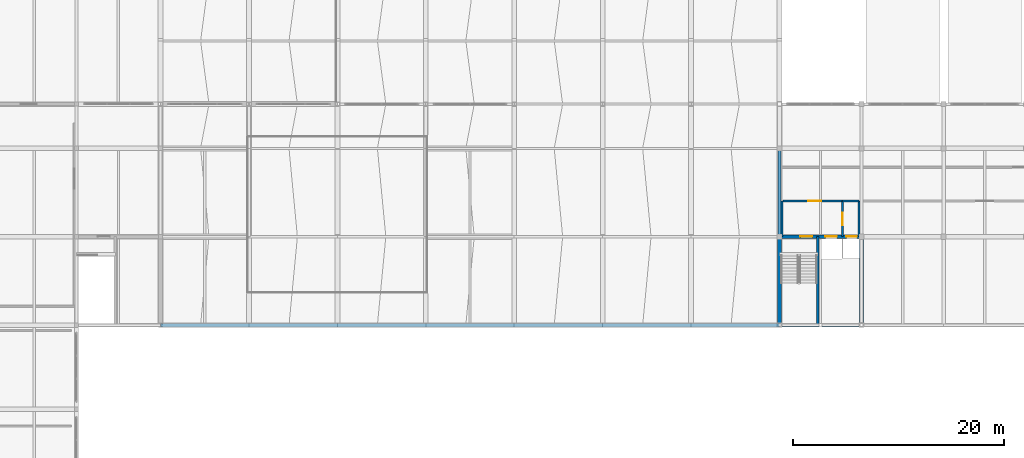
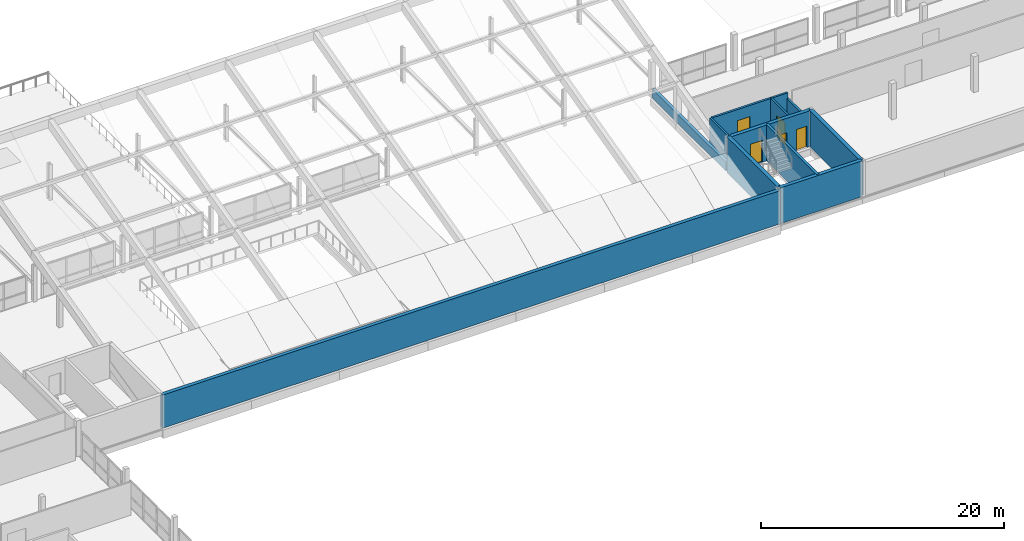
# One storey, part 42 of 51: 12 walls, 5 doors, 5 openings.
"""IFC4 building model written with IfcOpenShell, lengths in metres."""

from ifc_helpers import new_model, si_unit, direction, frame, frame_2d, origin, place, context, subcontext, project, spatial, rectangle, extrude, material, layer, layer_set, type_object, element, fill, save


model = new_model("IFC4")

# Units and contexts
model_context = context("Model", 3, precision=1e-05, world=origin(), true_north=direction((0.0, 1.0)))
body_context = subcontext(model_context, "Body", "Model", "MODEL_VIEW")
ifc_project = project(units=[si_unit("LENGTHUNIT", "METRE"), si_unit("AREAUNIT", "SQUARE_METRE"), si_unit("VOLUMEUNIT", "CUBIC_METRE"), si_unit("PLANEANGLEUNIT", "RADIAN"), si_unit("MASSUNIT", "GRAM", prefix="KILO")], contexts=[model_context])

# Site, building, storey
site_placement = place(None, origin())
site = spatial("IfcSite", under=ifc_project, at=site_placement, CompositionType="ELEMENT")
building_placement = place(site_placement, origin())
building = spatial("IfcBuilding", under=site, at=building_placement, Name="Vharandega Faculty of Natural Sciences", CompositionType="ELEMENT")
storey_placement = place(building_placement, frame((0.0, 0.0, 18.0)))
storey = spatial("IfcBuildingStorey", under=building, at=storey_placement, Name="L04", CompositionType="ELEMENT", Elevation=18.0)

# Walls
ifc_material_1 = material(Name="Concrete C40/50", Category="concrete")
ifc_layer_1 = layer(ifc_material_1, 0.35009765625, Name="Concrete C40/50")
ifc_layer_set_1 = layer_set([ifc_layer_1], Name="Concrete C40/50")
wall_type_1 = type_object("IfcWallType", Name="Core Shear Wall 350", PredefinedType="SHEAR", material=ifc_layer_set_1)
wall_1_placement = place(storey_placement, frame((114.800048828125, 64.0, 0.0), z_axis=(0.0, 0.0, 1.0), x_axis=(1.0, 0.0, 0.0)))
element("IfcWall", 1, at=wall_1_placement, inside=storey, type_object=wall_type_1, Name="Interior Wall CW-C1-L04-S", PredefinedType="SHEAR", context=body_context, shape_type="SweptSolid", body=[
    extrude(rectangle(XDim=7.800048828125, YDim=0.35009765625, at=frame_2d((3.89990234375, 0.0))), origin(), (0.0, 0.0, 1.0), 3.60009765625),
])
for number, where, z_axis, x_axis, name in (
    (2, (114.800048828125, 64.0, 0.0), (0.0, 0.0, 1.0), (0.0, 1.0, 0.0), "Interior Wall CW-C1-L04-W"),
    (3, (122.60009765625, 64.0, 0.0), (0.0, 0.0, 1.0), (0.0, 1.0, 0.0), "Interior Wall CW-C1-L04-E"),
):
    element("IfcWall", number, at=place(storey_placement, frame(where, z_axis=z_axis, x_axis=x_axis)), inside=storey, type_object=wall_type_1, Name=name, PredefinedType="SHEAR", context=body_context, shape_type="SweptSolid", body=[
        extrude(rectangle(XDim=8.39990234375, YDim=0.35009765625, at=frame_2d((4.199951171875, 0.0))), origin(), (0.0, 0.0, 1.0), 3.60009765625),
    ])

# Wall, openings, doors
wall_2_placement = place(storey_placement, frame((114.800048828125, 72.39990234375, 0.0), z_axis=(0.0, 0.0, 1.0), x_axis=(1.0, 0.0, 0.0)))
wall_2 = element("IfcWall", 4, at=wall_2_placement, inside=storey, type_object=wall_type_1, Name="Interior Wall CW-C1-L04-N", PredefinedType="SHEAR", context=body_context, shape_type="SweptSolid", body=[
    extrude(rectangle(XDim=7.800048828125, YDim=0.35009765625, at=frame_2d((3.89990234375, 0.0))), origin(), (0.0, 0.0, 1.0), 3.60009765625),
])
opening_1_placement = place(wall_2_placement, frame((1.97998046875, 0.0, 0.0)))
opening_1 = element("IfcOpeningElement", 5, at=opening_1_placement, cuts=wall_2, Name="Opening FD1", PredefinedType="OPENING", context=body_context, shape_type="SweptSolid", body=[
    extrude(rectangle(XDim=1.14990234375, YDim=2.199951171875, at=frame_2d((0.574951171875, 1.10009765625))), frame((0.0, 0.18505859375, 0.0), z_axis=(0.0, -1.0, 0.0), x_axis=(1.0, 0.0, 0.0)), (0.0, 0.0, 1.0), 0.3701171875),
])
opening_2_placement = place(wall_2_placement, frame((4.35009765625, 0.0, 0.0)))
opening_2 = element("IfcOpeningElement", 6, at=opening_2_placement, cuts=wall_2, Name="Opening LD-FL1-L04", PredefinedType="OPENING", context=body_context, shape_type="SweptSolid", body=[
    extrude(rectangle(XDim=1.10009765625, YDim=2.14990234375, at=frame_2d((0.550048828125, 1.074951171875))), frame((0.0, 0.18505859375, 0.0), z_axis=(0.0, -1.0, 0.0), x_axis=(1.0, 0.0, 0.0)), (0.0, 0.0, 1.0), 0.3701171875),
])
opening_3_placement = place(wall_2_placement, frame((6.360107421875, 0.0, 0.0)))
opening_3 = element("IfcOpeningElement", 7, at=opening_3_placement, cuts=wall_2, Name="Opening LD-LP1-L04", PredefinedType="OPENING", context=body_context, shape_type="SweptSolid", body=[
    extrude(rectangle(XDim=1.0, YDim=2.14990234375, at=frame_2d((0.5, 1.074951171875))), frame((0.0, 0.18505859375, 0.0), z_axis=(0.0, -1.0, 0.0), x_axis=(1.0, 0.0, 0.0)), (0.0, 0.0, 1.0), 0.3701171875),
])
ifc_material_2 = material(Name="Solid-core hardwood timber fire door", Category="wood")
door_type_1 = type_object("IfcDoorType", Name="FD1-STAIR-1150x2200", OperationType="NOTDEFINED", PredefinedType="DOOR", material=ifc_material_2)
door_1_placement = place(opening_1_placement, origin())
door_1 = element("IfcDoor", 8, at=door_1_placement, inside=storey, type_object=door_type_1, Name="Stair ST1 Fire Door FD1", OperationType="SINGLE_SWING_LEFT", OverallHeight=2.199951171875, OverallWidth=1.14990234375, PredefinedType="DOOR", context=body_context, shape_type="SweptSolid", body=[
    extrude(rectangle(XDim=1.14990234375, YDim=2.199951171875, at=frame_2d((0.574951171875, 1.10009765625))), frame((0.0, 0.02490234375, 0.0), z_axis=(0.0, -1.0, 0.0), x_axis=(1.0, 0.0, 0.0)), (0.0, 0.0, 1.0), 0.050048828125),
])
fill(opening_1, door_1)
ifc_material_3 = material(Name="Brushed stainless steel sliding landing door", Category="steel")
door_type_2 = type_object("IfcDoorType", Name="LD1-FFLIFT-SLIDING-1100x2150", OperationType="DOUBLE_DOOR_SLIDING", PredefinedType="DOOR", material=ifc_material_3)
door_2_placement = place(opening_2_placement, origin())
door_2 = element("IfcDoor", 9, at=door_2_placement, inside=storey, type_object=door_type_2, Name="Lift Landing Door LD-FL1-L04", OperationType="DOUBLE_DOOR_SLIDING", OverallHeight=2.14990234375, OverallWidth=1.10009765625, PredefinedType="DOOR", context=body_context, shape_type="SweptSolid", body=[
    extrude(rectangle(XDim=1.10009765625, YDim=2.14990234375, at=frame_2d((0.550048828125, 1.074951171875))), frame((0.0, 0.02490234375, 0.0), z_axis=(0.0, -1.0, 0.0), x_axis=(1.0, 0.0, 0.0)), (0.0, 0.0, 1.0), 0.050048828125),
])
fill(opening_2, door_2)
ifc_material_4 = material(Name="Brushed stainless steel sliding landing door", Category="steel")
door_type_3 = type_object("IfcDoorType", Name="LD2-PAXLIFT-SLIDING-1000x2150", OperationType="DOUBLE_DOOR_SLIDING", PredefinedType="DOOR", material=ifc_material_4)
door_3_placement = place(opening_3_placement, origin())
door_3 = element("IfcDoor", 10, at=door_3_placement, inside=storey, type_object=door_type_3, Name="Lift Landing Door LD-LP1-L04", OperationType="DOUBLE_DOOR_SLIDING", OverallHeight=2.14990234375, OverallWidth=1.0, PredefinedType="DOOR", context=body_context, shape_type="SweptSolid", body=[
    extrude(rectangle(XDim=1.0, YDim=2.14990234375, at=frame_2d((0.5, 1.074951171875))), frame((0.0, 0.02490234375, 0.0), z_axis=(0.0, -1.0, 0.0), x_axis=(1.0, 0.0, 0.0)), (0.0, 0.0, 1.0), 0.050048828125),
])
fill(opening_3, door_3)

# Wall, opening, door
ifc_material_5 = material(Name="Concrete C40/50", Category="concrete")
ifc_layer_2 = layer(ifc_material_5, 0.199951171875, Name="Concrete C40/50")
ifc_layer_set_2 = layer_set([ifc_layer_2], Name="Concrete C40/50")
wall_type_2 = type_object("IfcWallType", Name="Firefighting Lobby Wall 200", PredefinedType="PARTITIONING", material=ifc_layer_set_2)
wall_3_placement = place(storey_placement, frame((115.14990234375, 75.800048828125, 0.0), z_axis=(0.0, 0.0, 1.0), x_axis=(1.0, 0.0, 0.0)))
wall_3 = element("IfcWall", 11, at=wall_3_placement, inside=storey, type_object=wall_type_2, Name="Interior Wall PW-FFL-C1-L04-N", PredefinedType="PARTITIONING", context=body_context, shape_type="SweptSolid", body=[
    extrude(rectangle(XDim=5.650146484375, YDim=0.199951171875, at=frame_2d((2.8251953125, 0.0))), origin(), (0.0, 0.0, 1.0), 3.320068359375),
])
opening_4_placement = place(wall_3_placement, frame((2.39990234375, 0.0, 0.0)))
opening_4 = element("IfcOpeningElement", 12, at=opening_4_placement, cuts=wall_3, Name="Opening FD2", PredefinedType="OPENING", context=body_context, shape_type="SweptSolid", body=[
    extrude(rectangle(XDim=1.199951171875, YDim=2.199951171875, at=frame_2d((0.60009765625, 1.10009765625))), frame((0.0, 0.10986328125, 0.0), z_axis=(0.0, -1.0, 0.0), x_axis=(1.0, 0.0, 0.0)), (0.0, 0.0, 1.0), 0.219970703125),
])
ifc_material_6 = material(Name="Solid-core hardwood timber fire door", Category="wood")
door_type_4 = type_object("IfcDoorType", Name="FD2-FFLOBBY-1200x2200", OperationType="NOTDEFINED", PredefinedType="DOOR", material=ifc_material_6)
door_4_placement = place(opening_4_placement, origin())
door_4 = element("IfcDoor", 13, at=door_4_placement, inside=storey, type_object=door_type_4, Name="Firefighting Lobby C1 Door FD2", OperationType="SINGLE_SWING_LEFT", OverallHeight=2.199951171875, OverallWidth=1.199951171875, PredefinedType="DOOR", context=body_context, shape_type="SweptSolid", body=[
    extrude(rectangle(XDim=1.199951171875, YDim=2.199951171875, at=frame_2d((0.60009765625, 1.10009765625))), frame((0.0, 0.02490234375, 0.0), z_axis=(0.0, -1.0, 0.0), x_axis=(1.0, 0.0, 0.0)), (0.0, 0.0, 1.0), 0.050048828125),
])
fill(opening_4, door_4)

# Wall
wall_4_placement = place(storey_placement, frame((115.050048828125, 72.39990234375, 0.0), z_axis=(0.0, 0.0, 1.0), x_axis=(0.0, 1.0, 0.0)))
element("IfcWall", 14, at=wall_4_placement, inside=storey, type_object=wall_type_2, Name="Interior Wall PW-FFL-C1-L04-W", PredefinedType="PARTITIONING", context=body_context, shape_type="SweptSolid", body=[
    extrude(rectangle(XDim=3.400146484375, YDim=0.199951171875, at=frame_2d((1.7001953125, 0.0))), origin(), (0.0, 0.0, 1.0), 3.320068359375),
])

# Wall, opening, door
wall_5_placement = place(storey_placement, frame((120.800048828125, 72.39990234375, 0.0), z_axis=(0.0, 0.0, 1.0), x_axis=(0.0, 1.0, 0.0)))
wall_5 = element("IfcWall", 15, at=wall_5_placement, inside=storey, type_object=wall_type_2, Name="Interior Wall PW-FFL-C1-L04-E", PredefinedType="PARTITIONING", context=body_context, shape_type="SweptSolid", body=[
    extrude(rectangle(XDim=3.400146484375, YDim=0.199951171875, at=frame_2d((1.7001953125, 0.0))), origin(), (0.0, 0.0, 1.0), 3.320068359375),
])
opening_5_placement = place(wall_5_placement, frame((1.10009765625, 0.0, 0.0)))
opening_5 = element("IfcOpeningElement", 16, at=opening_5_placement, cuts=wall_5, Name="Opening FD2", PredefinedType="OPENING", context=body_context, shape_type="SweptSolid", body=[
    extrude(rectangle(XDim=1.199951171875, YDim=2.199951171875, at=frame_2d((0.60009765625, 1.10009765625))), frame((0.0, 0.10986328125, 0.0), z_axis=(0.0, -1.0, 0.0), x_axis=(1.0, 0.0, 0.0)), (0.0, 0.0, 1.0), 0.219970703125),
])
door_5_placement = place(opening_5_placement, origin())
door_5 = element("IfcDoor", 17, at=door_5_placement, inside=storey, type_object=door_type_4, Name="Lobby Interconnect C1 Door FD2", OperationType="SINGLE_SWING_RIGHT", OverallHeight=2.199951171875, OverallWidth=1.199951171875, PredefinedType="DOOR", context=body_context, shape_type="SweptSolid", body=[
    extrude(rectangle(XDim=1.199951171875, YDim=2.199951171875, at=frame_2d((0.60009765625, 1.10009765625))), frame((0.0, 0.02490234375, 0.0), z_axis=(0.0, -1.0, 0.0), x_axis=(1.0, 0.0, 0.0)), (0.0, 0.0, 1.0), 0.050048828125),
])
fill(opening_5, door_5)

# Walls
wall_6_placement = place(storey_placement, frame((120.800048828125, 75.800048828125, 0.0), z_axis=(0.0, 0.0, 1.0), x_axis=(1.0, 0.0, 0.0)))
element("IfcWall", 18, at=wall_6_placement, inside=storey, type_object=wall_type_2, Name="Interior Wall PW-LL-C1-L04-N", PredefinedType="PARTITIONING", context=body_context, shape_type="SweptSolid", body=[
    extrude(rectangle(XDim=1.550048828125, YDim=0.199951171875, at=frame_2d((0.77490234375, 0.0))), origin(), (0.0, 0.0, 1.0), 3.320068359375),
])
wall_7_placement = place(storey_placement, frame((122.35009765625, 72.39990234375, 0.0), z_axis=(0.0, 0.0, 1.0), x_axis=(0.0, 1.0, 0.0)))
element("IfcWall", 19, at=wall_7_placement, inside=storey, type_object=wall_type_2, Name="Interior Wall PW-LL-C1-L04-E", PredefinedType="PARTITIONING", context=body_context, shape_type="SweptSolid", body=[
    extrude(rectangle(XDim=3.400146484375, YDim=0.199951171875, at=frame_2d((1.7001953125, 0.0))), origin(), (0.0, 0.0, 1.0), 2.760009765625),
])
ifc_material_7 = material(Name="Granite ashlar masonry 25 MPa", Category="masonry")
ifc_layer_3 = layer(ifc_material_7, 0.340087890625, Name="Granite ashlar masonry 25 MPa")
ifc_layer_set_3 = layer_set([ifc_layer_3], Name="Granite ashlar masonry 25 MPa")
wall_type_3 = type_object("IfcWallType", Name="Imperforate Party Wall 340", PredefinedType="SOLIDWALL", material=ifc_layer_set_3)
wall_8_placement = place(storey_placement, frame((114.800048828125, 64.0, 0.0), z_axis=(0.0, 0.0, 1.0), x_axis=(-1.0, 0.0, 0.0)))
element("IfcWall", 20, at=wall_8_placement, inside=storey, type_object=wall_type_3, Name="Exterior Wall EW-PTY-L04-J1", PredefinedType="SOLIDWALL", context=body_context, shape_type="SweptSolid", body=[
    extrude(rectangle(XDim=58.800048828125, YDim=0.340087890625, at=frame_2d((29.39990234375, 0.0))), origin(), (0.0, 0.0, 1.0), 3.340087890625),
])
ifc_material_8 = material(Name="Concrete C40/50", Category="concrete")
ifc_layer_4 = layer(ifc_material_8, 0.260009765625, Name="Concrete C40/50")
ifc_layer_set_4 = layer_set([ifc_layer_4], Name="Concrete C40/50")
wall_type_4 = type_object("IfcWallType", Name="Lift Shaft Shear Wall 260", PredefinedType="SHEAR", material=ifc_layer_set_4)
wall_9_placement = place(storey_placement, frame((118.43994140625, 64.0, 0.0), z_axis=(0.0, 0.0, 1.0), x_axis=(0.0, 1.0, 0.0)))
element("IfcWall", 21, at=wall_9_placement, inside=storey, type_object=wall_type_4, Name="Interior Wall CW-C1-L04-DIV", PredefinedType="SHEAR", context=body_context, shape_type="SweptSolid", body=[
    extrude(rectangle(XDim=8.39990234375, YDim=0.260009765625, at=frame_2d((4.199951171875, 0.0))), origin(), (0.0, 0.0, 1.0), 3.60009765625),
])
ifc_material_9 = material(Name="Precast concrete C40/50", Category="concrete")
ifc_layer_5 = layer(ifc_material_9, 0.280029296875, Name="Precast concrete C40/50")
ifc_layer_set_5 = layer_set([ifc_layer_5], Name="Precast concrete C40/50")
wall_type_5 = type_object("IfcWallType", Name="White Precast End Wall 280", PredefinedType="SOLIDWALL", material=ifc_layer_set_5)
wall_10_placement = place(storey_placement, frame((114.800048828125, 72.60009765625, 0.0), z_axis=(0.0, 0.0, 1.0), x_axis=(0.0, 1.0, 0.0)))
element("IfcWall", 22, at=wall_10_placement, inside=storey, type_object=wall_type_5, Name="Exterior Wall EW-L04-V4W", PredefinedType="SOLIDWALL", context=body_context, shape_type="SweptSolid", body=[
    extrude(rectangle(XDim=12.161865234375, YDim=0.280029296875, at=frame_2d((6.0810546875, 0.0))), origin(), (0.0, 0.0, 1.0), 0.89990234375),
])

save(model, "model.ifc")
